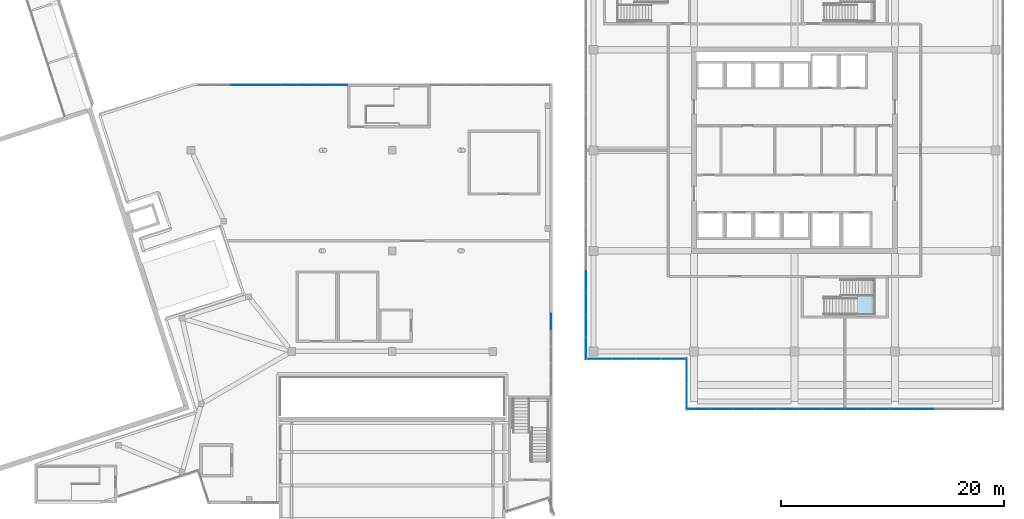
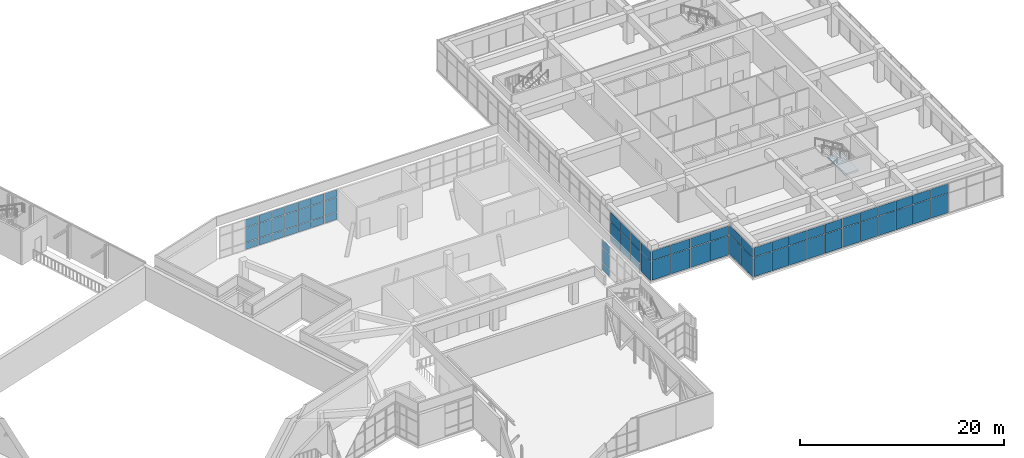
# One storey, part 56 of 72: 66 plates, 1 slab, 7 elements without a shape of their own.
"""IFC4 building model written with IfcOpenShell, lengths in metres."""

import ifcopenshell
import ifcopenshell.guid

model = None  # the IFC model being written
_history = None  # IfcOwnerHistory: only IFC2X3 demands one
_inside = {}  # id of a spatial element -> (the spatial element, [elements in it])
_under = {}  # id of a project, library or spatial element -> (it, [spatial elements below it])
_declared = {}  # id of a project -> (the project, [libraries it declares])
_typed = {}  # id of a type object -> (the type object, [elements of that type])
_made_of = {}  # id of a material, layer set ... -> (it, [elements and type objects made of it])


def new_model(schema):
    """Start an empty IFC model of exactly this schema.

    Asked for "IFC4X3", IfcOpenShell would pick the latest addendum, in which some entities
    have other attributes; the version numbers below select the first issue.
    IFC2X3 requires an IfcOwnerHistory on every rooted entity: one is made here for all.
    """
    global model, _history
    if schema == "IFC4X3":
        model = ifcopenshell.file(schema_version=(4, 3, 0, 0))
    else:
        model = ifcopenshell.file(schema=schema)
    _inside.clear()
    _under.clear()
    _declared.clear()
    _typed.clear()
    _made_of.clear()
    _history = None
    if model.schema == "IFC2X3":
        org = make("IfcOrganization", Name="unknown")
        user = make(
            "IfcPersonAndOrganization",
            ThePerson=make("IfcPerson", FamilyName="unknown"),
            TheOrganization=org,
        )
        app = make(
            "IfcApplication",
            ApplicationDeveloper=org,
            Version="unknown",
            ApplicationFullName="unknown",
            ApplicationIdentifier="unknown",
        )
        _history = make(
            "IfcOwnerHistory",
            OwningUser=user,
            OwningApplication=app,
            ChangeAction="ADDED",
            CreationDate=0,
        )
    return model


def make(cls, **values):
    """One entity of the class cls with the attributes given. An attribute that is None is left unset."""
    return model.create_entity(
        cls, **{name: value for name, value in values.items() if value is not None}
    )


def rooted(cls, **values):
    """An entity with a GlobalId (a new one), such as an element, a storey or a relation."""
    return make(cls, GlobalId=ifcopenshell.guid.new(), OwnerHistory=_history, **values)


def si_unit(unit_type, name, prefix=None):
    """IfcSIUnit, for example si_unit("LENGTHUNIT", "METRE", prefix="MILLI")."""
    return make("IfcSIUnit", UnitType=unit_type, Prefix=prefix, Name=name)


def assignment(units):
    """IfcUnitAssignment: the units of a project."""
    return None if units is None else make("IfcUnitAssignment", Units=units)


def point(xyz):
    """IfcCartesianPoint."""
    return None if xyz is None else make("IfcCartesianPoint", Coordinates=xyz)


def direction(xyz):
    """IfcDirection."""
    return None if xyz is None else make("IfcDirection", DirectionRatios=xyz)


def frame(location, z_axis=None, x_axis=None):
    """IfcAxis2Placement3D, a coordinate frame: its origin and axes. An axis left out is left unset."""
    return make(
        "IfcAxis2Placement3D",
        Location=point(location),
        Axis=direction(z_axis),
        RefDirection=direction(x_axis),
    )


def frame_2d(location, x_axis=None):
    """IfcAxis2Placement2D, a coordinate frame in the plane: its origin and x axis."""
    return make(
        "IfcAxis2Placement2D", Location=point(location), RefDirection=direction(x_axis)
    )


def origin():
    """The frame at (0, 0, 0) with its axes left unset."""
    return frame((0.0, 0.0, 0.0))


def origin_2d():
    """The frame at (0, 0) in the plane with its x axis left unset."""
    return frame_2d((0.0, 0.0))


def place(relative_to, where):
    """IfcLocalPlacement: puts the frame where relative to a parent placement (None: the world)."""
    return make(
        "IfcLocalPlacement", PlacementRelTo=relative_to, RelativePlacement=where
    )


def context(
    kind, dimensions, precision=None, world=None, true_north=None, identifier=None
):
    """IfcGeometricRepresentationContext, for example the 3D "Model" context."""
    return make(
        "IfcGeometricRepresentationContext",
        ContextIdentifier=identifier,
        ContextType=kind,
        CoordinateSpaceDimension=dimensions,
        Precision=precision,
        WorldCoordinateSystem=world,
        TrueNorth=true_north,
    )


def subcontext(parent, identifier, kind, view, scale=None):
    """IfcGeometricRepresentationSubContext, for example "Body" below "Model"."""
    return make(
        "IfcGeometricRepresentationSubContext",
        ContextIdentifier=identifier,
        ContextType=kind,
        ParentContext=parent,
        TargetScale=scale,
        TargetView=view,
    )


def project(units=None, contexts=None):
    """IfcProject with its units and contexts."""
    return rooted(
        "IfcProject",
        Name="project",
        RepresentationContexts=contexts,
        UnitsInContext=assignment(units),
    )


def spatial(cls, under=None, at=None, **own):
    """A site, building, storey or space (cls), placed at a placement, below another one or the project."""
    s = rooted(cls, ObjectPlacement=at, **own)
    if under is not None:
        _under.setdefault(under.id(), (under, []))[1].append(s)
    return s


def polyline(points):
    """IfcPolyline through the points."""
    return make("IfcPolyline", Points=[point(p) for p in points])


def profile(cls, at=None, kind="AREA", **sizes):
    """A parametric profile (cls). Its sizes go by their IFC names, for example OverallWidth=200.0."""
    return make(cls, ProfileType=kind, Position=at, **sizes)


def rectangle(**sizes):
    """IfcRectangleProfileDef."""
    return profile("IfcRectangleProfileDef", **sizes)


def outline(outer, holes=None, kind="AREA"):
    """IfcArbitraryClosedProfileDef: a profile drawn as a closed curve; with holes, ...WithVoids."""
    if holes is None:
        return make("IfcArbitraryClosedProfileDef", ProfileType=kind, OuterCurve=outer)
    return make(
        "IfcArbitraryProfileDefWithVoids",
        ProfileType=kind,
        OuterCurve=outer,
        InnerCurves=holes,
    )


def extrude(swept, where, along, depth):
    """IfcExtrudedAreaSolid: the profile swept, set in the frame where, extruded along a direction by depth."""
    return make(
        "IfcExtrudedAreaSolid",
        SweptArea=swept,
        Position=where,
        ExtrudedDirection=direction(along),
        Depth=depth,
    )


def shape(context_of_items, identifier, shape_type, items):
    """IfcShapeRepresentation: the items that make up one representation, for example the "Body"."""
    return make(
        "IfcShapeRepresentation",
        ContextOfItems=context_of_items,
        RepresentationIdentifier=identifier,
        RepresentationType=shape_type,
        Items=items,
    )


def material(Name=None, Category=None):
    """IfcMaterial."""
    return make("IfcMaterial", Name=Name, Category=Category)


def layer(
    of_material, thickness, ventilated=None, Name=None, Category=None, Priority=None
):
    """IfcMaterialLayer: one layer of a wall or slab, of a material (None: an air gap)."""
    return make(
        "IfcMaterialLayer",
        Material=of_material,
        LayerThickness=thickness,
        IsVentilated=ventilated,
        Name=Name,
        Category=Category,
        Priority=Priority,
    )


def layer_set(layers, Name=None):
    """IfcMaterialLayerSet."""
    return make("IfcMaterialLayerSet", MaterialLayers=layers, LayerSetName=Name)


def made_of(thing, what):
    """Note that an element or type object is made of a material, layer set ...; save() writes the relation."""
    if what is not None:
        _made_of.setdefault(what.id(), (what, []))[1].append(thing)
    return thing


def type_object(cls, material=None, **own):
    """A type object (cls), such as IfcWallType, which elements share."""
    return made_of(rooted(cls, **own), material)


def element(
    cls,
    number,
    at=None,
    inside=None,
    cuts=None,
    type_object=None,
    material=None,
    context=None,
    identifier="Body",
    shape_type=None,
    held_by="IfcProductDefinitionShape",
    body=None,
    shapes=None,
    **own,
):
    """One element of the class cls, such as IfcWall. Its Tag is "e" and its number.

    at: its placement. inside: the storey or other place that contains it. cuts: it is an
    opening in that element (IfcRelVoidsElement). A single representation is given by context,
    identifier, shape_type and body (its items); several are given by shapes. held_by: the class
    of the entity that holds the representations. save() writes the other relations.
    """
    e = rooted(cls, Tag="e%d" % number, ObjectPlacement=at, **own)
    if body is not None:
        shapes = [shape(context, identifier, shape_type, body)]
    if shapes is not None:
        e.Representation = make(held_by, Representations=shapes)
    if inside is not None:
        _inside.setdefault(inside.id(), (inside, []))[1].append(e)
    if cuts is not None:
        rooted(
            "IfcRelVoidsElement", RelatingBuildingElement=cuts, RelatedOpeningElement=e
        )
    if type_object is not None:
        _typed.setdefault(type_object.id(), (type_object, []))[1].append(e)
    return made_of(e, material)


def aggregate(whole, parts):
    """IfcRelAggregates: a whole, such as a stair, and the parts it consists of."""
    return rooted("IfcRelAggregates", RelatingObject=whole, RelatedObjects=parts)


def save(model, path):
    """Write the relations noted so far, then the file.

    IfcRelAggregates (storeys below a building ...), IfcRelContainedInSpatialStructure (elements
    in a storey), IfcRelDefinesByType, IfcRelAssociatesMaterial and IfcRelDeclares: one each for
    every whole, place, type object, material and project.
    """
    for whole, parts in _under.values():
        aggregate(whole, parts)
    for where, things in _inside.values():
        rooted(
            "IfcRelContainedInSpatialStructure",
            RelatedElements=things,
            RelatingStructure=where,
        )
    for kind, things in _typed.values():
        rooted("IfcRelDefinesByType", RelatedObjects=things, RelatingType=kind)
    for what, things in _made_of.values():
        rooted("IfcRelAssociatesMaterial", RelatedObjects=things, RelatingMaterial=what)
    for by, libraries in _declared.values():
        rooted("IfcRelDeclares", RelatingContext=by, RelatedDefinitions=libraries)
    model.write(path)


model = new_model("IFC4")

# Units and contexts
model_context = context("Model", 3, precision=1e-05, world=origin(), true_north=direction((0.0, 1.0)))
body_context = subcontext(model_context, "Body", "Model", "MODEL_VIEW")
ifc_project = project(units=[si_unit("LENGTHUNIT", "METRE"), si_unit("AREAUNIT", "SQUARE_METRE"), si_unit("VOLUMEUNIT", "CUBIC_METRE"), si_unit("PLANEANGLEUNIT", "RADIAN"), si_unit("MASSUNIT", "GRAM", prefix="KILO")], contexts=[model_context])

# Site, building, storey
site_placement = place(None, origin())
site = spatial("IfcSite", under=ifc_project, at=site_placement, CompositionType="ELEMENT")
building_placement = place(site_placement, origin())
building = spatial("IfcBuilding", under=site, at=building_placement, Name="Tuart Plaza Theatre", CompositionType="ELEMENT")
storey_placement = place(building_placement, frame((0.0, 0.0, 13.5)))
storey = spatial("IfcBuildingStorey", under=building, at=storey_placement, Name="L03", CompositionType="ELEMENT", Elevation=13.5)

# Curtain wall, plates
ifc_material_1 = material(Name="Aluminium and glass", Category="aluminium")
ifc_layer_1 = layer(ifc_material_1, 0.10009765625)
ifc_layer_set_1 = layer_set([ifc_layer_1], Name="CURTAIN WALL 1500 module")
curtain_wall_type_1 = type_object("IfcCurtainWallType", Name="CURTAIN WALL 1500 module", PredefinedType="NOTDEFINED", material=ifc_layer_set_1)
curtain_wall_1_placement = place(storey_placement, origin())
curtain_wall_1 = element("IfcCurtainWall", 1, at=curtain_wall_1_placement, inside=storey, type_object=curtain_wall_type_1, Name="CW43", PredefinedType="NOTDEFINED")
ifc_material_2 = material(Name="Glass", Category="glass")
ifc_layer_2 = layer(ifc_material_2, 0.028076171875)
ifc_layer_set_2 = layer_set([ifc_layer_2], Name="CURTAIN PANEL double glazed 28")
plate_type_1 = type_object("IfcPlateType", Name="CURTAIN PANEL double glazed 28", PredefinedType="CURTAIN_PANEL", material=ifc_layer_set_2)
plate_1_placement = place(storey_placement, frame((110.212890625, 58.6474609375, 0.0498046875), z_axis=(0.0, 0.0, 1.0), x_axis=(0.0, 1.0, 0.0)))
plate_1 = element("IfcPlate", 2, at=plate_1_placement, type_object=plate_type_1, Name="CW43 panel 5.1", PredefinedType="CURTAIN_PANEL", context=body_context, shape_type="SweptSolid", body=[
    extrude(rectangle(XDim=1.405029296875, YDim=0.028076171875, at=origin_2d()), origin(), (0.0, 0.0, 1.0), 0.824951171875),
])
plate_2_placement = place(storey_placement, frame((110.212890625, 58.6474609375, 0.925048828125), z_axis=(0.0, 0.0, 1.0), x_axis=(0.0, 1.0, 0.0)))
plate_2 = element("IfcPlate", 3, at=plate_2_placement, type_object=plate_type_1, Name="CW43 panel 5.2", PredefinedType="CURTAIN_PANEL", context=body_context, shape_type="SweptSolid", body=[
    extrude(rectangle(XDim=1.405029296875, YDim=0.028076171875, at=origin_2d()), origin(), (0.0, 0.0, 1.0), 1.75),
])
plate_3_placement = place(storey_placement, frame((110.212890625, 58.6474609375, 2.72509765625), z_axis=(0.0, 0.0, 1.0), x_axis=(0.0, 1.0, 0.0)))
plate_3 = element("IfcPlate", 4, at=plate_3_placement, type_object=plate_type_1, Name="CW43 panel 5.3", PredefinedType="CURTAIN_PANEL", context=body_context, shape_type="SweptSolid", body=[
    extrude(rectangle(XDim=1.405029296875, YDim=0.028076171875, at=origin_2d()), origin(), (0.0, 0.0, 1.0), 0.925048828125),
])
aggregate(curtain_wall_1, [plate_1, plate_2, plate_3])

curtain_wall_2_placement = place(storey_placement, origin())
curtain_wall_2 = element("IfcCurtainWall", 5, at=curtain_wall_2_placement, inside=storey, type_object=curtain_wall_type_1, Name="CW44", PredefinedType="NOTDEFINED")
plate_4_placement = place(storey_placement, frame((82.31787109375, 79.8369140625, 0.0498046875), z_axis=(0.0, 0.0, 1.0), x_axis=(1.0, 0.0, 0.0)))
plate_4 = element("IfcPlate", 6, at=plate_4_placement, type_object=plate_type_1, Name="CW44 panel 3.1", PredefinedType="CURTAIN_PANEL", context=body_context, shape_type="SweptSolid", body=[
    extrude(rectangle(XDim=1.439453125, YDim=0.028076171875, at=origin_2d()), origin(), (0.0, 0.0, 1.0), 0.824951171875),
])
plate_5_placement = place(storey_placement, frame((82.31787109375, 79.8369140625, 0.925048828125), z_axis=(0.0, 0.0, 1.0), x_axis=(1.0, 0.0, 0.0)))
plate_5 = element("IfcPlate", 7, at=plate_5_placement, type_object=plate_type_1, Name="CW44 panel 3.2", PredefinedType="CURTAIN_PANEL", context=body_context, shape_type="SweptSolid", body=[
    extrude(rectangle(XDim=1.439453125, YDim=0.028076171875, at=origin_2d()), origin(), (0.0, 0.0, 1.0), 1.75),
])
plate_6_placement = place(storey_placement, frame((82.31787109375, 79.8369140625, 2.72509765625), z_axis=(0.0, 0.0, 1.0), x_axis=(1.0, 0.0, 0.0)))
plate_6 = element("IfcPlate", 8, at=plate_6_placement, type_object=plate_type_1, Name="CW44 panel 3.3", PredefinedType="CURTAIN_PANEL", context=body_context, shape_type="SweptSolid", body=[
    extrude(rectangle(XDim=1.439453125, YDim=0.028076171875, at=origin_2d()), origin(), (0.0, 0.0, 1.0), 0.925048828125),
])
plate_7_placement = place(storey_placement, frame((83.807373046875, 79.8369140625, 0.0498046875), z_axis=(0.0, 0.0, 1.0), x_axis=(1.0, 0.0, 0.0)))
plate_7 = element("IfcPlate", 9, at=plate_7_placement, type_object=plate_type_1, Name="CW44 panel 4.1", PredefinedType="CURTAIN_PANEL", context=body_context, shape_type="SweptSolid", body=[
    extrude(rectangle(XDim=1.439453125, YDim=0.028076171875, at=origin_2d()), origin(), (0.0, 0.0, 1.0), 0.824951171875),
])
plate_8_placement = place(storey_placement, frame((83.807373046875, 79.8369140625, 0.925048828125), z_axis=(0.0, 0.0, 1.0), x_axis=(1.0, 0.0, 0.0)))
plate_8 = element("IfcPlate", 10, at=plate_8_placement, type_object=plate_type_1, Name="CW44 panel 4.2", PredefinedType="CURTAIN_PANEL", context=body_context, shape_type="SweptSolid", body=[
    extrude(rectangle(XDim=1.439453125, YDim=0.028076171875, at=origin_2d()), origin(), (0.0, 0.0, 1.0), 1.75),
])
plate_9_placement = place(storey_placement, frame((83.807373046875, 79.8369140625, 2.72509765625), z_axis=(0.0, 0.0, 1.0), x_axis=(1.0, 0.0, 0.0)))
plate_9 = element("IfcPlate", 11, at=plate_9_placement, type_object=plate_type_1, Name="CW44 panel 4.3", PredefinedType="CURTAIN_PANEL", context=body_context, shape_type="SweptSolid", body=[
    extrude(rectangle(XDim=1.439453125, YDim=0.028076171875, at=origin_2d()), origin(), (0.0, 0.0, 1.0), 0.925048828125),
])
plate_10_placement = place(storey_placement, frame((85.297119140625, 79.8369140625, 0.0498046875), z_axis=(0.0, 0.0, 1.0), x_axis=(1.0, 0.0, 0.0)))
plate_10 = element("IfcPlate", 12, at=plate_10_placement, type_object=plate_type_1, Name="CW44 panel 5.1", PredefinedType="CURTAIN_PANEL", context=body_context, shape_type="SweptSolid", body=[
    extrude(rectangle(XDim=1.439453125, YDim=0.028076171875, at=origin_2d()), origin(), (0.0, 0.0, 1.0), 0.824951171875),
])
plate_11_placement = place(storey_placement, frame((85.297119140625, 79.8369140625, 0.925048828125), z_axis=(0.0, 0.0, 1.0), x_axis=(1.0, 0.0, 0.0)))
plate_11 = element("IfcPlate", 13, at=plate_11_placement, type_object=plate_type_1, Name="CW44 panel 5.2", PredefinedType="CURTAIN_PANEL", context=body_context, shape_type="SweptSolid", body=[
    extrude(rectangle(XDim=1.439453125, YDim=0.028076171875, at=origin_2d()), origin(), (0.0, 0.0, 1.0), 1.75),
])
plate_12_placement = place(storey_placement, frame((85.297119140625, 79.8369140625, 2.72509765625), z_axis=(0.0, 0.0, 1.0), x_axis=(1.0, 0.0, 0.0)))
plate_12 = element("IfcPlate", 14, at=plate_12_placement, type_object=plate_type_1, Name="CW44 panel 5.3", PredefinedType="CURTAIN_PANEL", context=body_context, shape_type="SweptSolid", body=[
    extrude(rectangle(XDim=1.439453125, YDim=0.028076171875, at=origin_2d()), origin(), (0.0, 0.0, 1.0), 0.925048828125),
])
plate_13_placement = place(storey_placement, frame((86.78662109375, 79.8369140625, 0.0498046875), z_axis=(0.0, 0.0, 1.0), x_axis=(1.0, 0.0, 0.0)))
plate_13 = element("IfcPlate", 15, at=plate_13_placement, type_object=plate_type_1, Name="CW44 panel 6.1", PredefinedType="CURTAIN_PANEL", context=body_context, shape_type="SweptSolid", body=[
    extrude(rectangle(XDim=1.439453125, YDim=0.028076171875, at=origin_2d()), origin(), (0.0, 0.0, 1.0), 0.824951171875),
])
plate_14_placement = place(storey_placement, frame((86.78662109375, 79.8369140625, 0.925048828125), z_axis=(0.0, 0.0, 1.0), x_axis=(1.0, 0.0, 0.0)))
plate_14 = element("IfcPlate", 16, at=plate_14_placement, type_object=plate_type_1, Name="CW44 panel 6.2", PredefinedType="CURTAIN_PANEL", context=body_context, shape_type="SweptSolid", body=[
    extrude(rectangle(XDim=1.439453125, YDim=0.028076171875, at=origin_2d()), origin(), (0.0, 0.0, 1.0), 1.75),
])
plate_15_placement = place(storey_placement, frame((86.78662109375, 79.8369140625, 2.72509765625), z_axis=(0.0, 0.0, 1.0), x_axis=(1.0, 0.0, 0.0)))
plate_15 = element("IfcPlate", 17, at=plate_15_placement, type_object=plate_type_1, Name="CW44 panel 6.3", PredefinedType="CURTAIN_PANEL", context=body_context, shape_type="SweptSolid", body=[
    extrude(rectangle(XDim=1.439453125, YDim=0.028076171875, at=origin_2d()), origin(), (0.0, 0.0, 1.0), 0.925048828125),
])
plate_16_placement = place(storey_placement, frame((88.276123046875, 79.8369140625, 0.0498046875), z_axis=(0.0, 0.0, 1.0), x_axis=(1.0, 0.0, 0.0)))
plate_16 = element("IfcPlate", 18, at=plate_16_placement, type_object=plate_type_1, Name="CW44 panel 7.1", PredefinedType="CURTAIN_PANEL", context=body_context, shape_type="SweptSolid", body=[
    extrude(rectangle(XDim=1.439453125, YDim=0.028076171875, at=origin_2d()), origin(), (0.0, 0.0, 1.0), 0.824951171875),
])
plate_17_placement = place(storey_placement, frame((88.276123046875, 79.8369140625, 0.925048828125), z_axis=(0.0, 0.0, 1.0), x_axis=(1.0, 0.0, 0.0)))
plate_17 = element("IfcPlate", 19, at=plate_17_placement, type_object=plate_type_1, Name="CW44 panel 7.2", PredefinedType="CURTAIN_PANEL", context=body_context, shape_type="SweptSolid", body=[
    extrude(rectangle(XDim=1.439453125, YDim=0.028076171875, at=origin_2d()), origin(), (0.0, 0.0, 1.0), 1.75),
])
plate_18_placement = place(storey_placement, frame((88.276123046875, 79.8369140625, 2.72509765625), z_axis=(0.0, 0.0, 1.0), x_axis=(1.0, 0.0, 0.0)))
plate_18 = element("IfcPlate", 20, at=plate_18_placement, type_object=plate_type_1, Name="CW44 panel 7.3", PredefinedType="CURTAIN_PANEL", context=body_context, shape_type="SweptSolid", body=[
    extrude(rectangle(XDim=1.439453125, YDim=0.028076171875, at=origin_2d()), origin(), (0.0, 0.0, 1.0), 0.925048828125),
])
plate_19_placement = place(storey_placement, frame((89.765625, 79.8369140625, 0.0498046875), z_axis=(0.0, 0.0, 1.0), x_axis=(1.0, 0.0, 0.0)))
plate_19 = element("IfcPlate", 21, at=plate_19_placement, type_object=plate_type_1, Name="CW44 panel 8.1", PredefinedType="CURTAIN_PANEL", context=body_context, shape_type="SweptSolid", body=[
    extrude(rectangle(XDim=1.439453125, YDim=0.028076171875, at=origin_2d()), origin(), (0.0, 0.0, 1.0), 0.824951171875),
])
plate_20_placement = place(storey_placement, frame((89.765625, 79.8369140625, 0.925048828125), z_axis=(0.0, 0.0, 1.0), x_axis=(1.0, 0.0, 0.0)))
plate_20 = element("IfcPlate", 22, at=plate_20_placement, type_object=plate_type_1, Name="CW44 panel 8.2", PredefinedType="CURTAIN_PANEL", context=body_context, shape_type="SweptSolid", body=[
    extrude(rectangle(XDim=1.439453125, YDim=0.028076171875, at=origin_2d()), origin(), (0.0, 0.0, 1.0), 1.75),
])
plate_21_placement = place(storey_placement, frame((89.765625, 79.8369140625, 2.72509765625), z_axis=(0.0, 0.0, 1.0), x_axis=(1.0, 0.0, 0.0)))
plate_21 = element("IfcPlate", 23, at=plate_21_placement, type_object=plate_type_1, Name="CW44 panel 8.3", PredefinedType="CURTAIN_PANEL", context=body_context, shape_type="SweptSolid", body=[
    extrude(rectangle(XDim=1.439453125, YDim=0.028076171875, at=origin_2d()), origin(), (0.0, 0.0, 1.0), 0.925048828125),
])
plate_22_placement = place(storey_placement, frame((91.24267578125, 79.8369140625, 0.0498046875), z_axis=(0.0, 0.0, 1.0), x_axis=(1.0, 0.0, 0.0)))
plate_22 = element("IfcPlate", 24, at=plate_22_placement, type_object=plate_type_1, Name="CW44 panel 9.1", PredefinedType="CURTAIN_PANEL", context=body_context, shape_type="SweptSolid", body=[
    extrude(rectangle(XDim=1.41455078125, YDim=0.028076171875, at=origin_2d()), origin(), (0.0, 0.0, 1.0), 0.824951171875),
])
plate_23_placement = place(storey_placement, frame((91.24267578125, 79.8369140625, 0.925048828125), z_axis=(0.0, 0.0, 1.0), x_axis=(1.0, 0.0, 0.0)))
plate_23 = element("IfcPlate", 25, at=plate_23_placement, type_object=plate_type_1, Name="CW44 panel 9.2", PredefinedType="CURTAIN_PANEL", context=body_context, shape_type="SweptSolid", body=[
    extrude(rectangle(XDim=1.41455078125, YDim=0.028076171875, at=origin_2d()), origin(), (0.0, 0.0, 1.0), 1.75),
])
plate_24_placement = place(storey_placement, frame((91.24267578125, 79.8369140625, 2.72509765625), z_axis=(0.0, 0.0, 1.0), x_axis=(1.0, 0.0, 0.0)))
plate_24 = element("IfcPlate", 26, at=plate_24_placement, type_object=plate_type_1, Name="CW44 panel 9.3", PredefinedType="CURTAIN_PANEL", context=body_context, shape_type="SweptSolid", body=[
    extrude(rectangle(XDim=1.41455078125, YDim=0.028076171875, at=origin_2d()), origin(), (0.0, 0.0, 1.0), 0.925048828125),
])
aggregate(curtain_wall_2, [plate_4, plate_5, plate_6, plate_7, plate_8, plate_9, plate_10, plate_11, plate_12, plate_13, plate_14, plate_15, plate_16, plate_17, plate_18, plate_19, plate_20, plate_21, plate_22, plate_23, plate_24])

ifc_material_3 = material(Name="Aluminium and glass", Category="aluminium")
ifc_layer_3 = layer(ifc_material_3, 0.10009765625)
ifc_layer_set_3 = layer_set([ifc_layer_3], Name="CURTAIN WALL 2000 module")
curtain_wall_type_2 = type_object("IfcCurtainWallType", Name="CURTAIN WALL 2000 module", PredefinedType="NOTDEFINED", material=ifc_layer_set_3)
curtain_wall_3_placement = place(storey_placement, origin())
curtain_wall_3 = element("IfcCurtainWall", 27, at=curtain_wall_3_placement, inside=storey, type_object=curtain_wall_type_2, Name="CW67", PredefinedType="NOTDEFINED")
plate_25_placement = place(storey_placement, frame((122.35009765625, 54.262451171875, 0.0498046875), z_axis=(0.0, 0.0, 1.0), x_axis=(0.0, -1.0, 0.0)))
plate_25 = element("IfcPlate", 28, at=plate_25_placement, type_object=plate_type_1, Name="CW67 panel 1.1", PredefinedType="CURTAIN_PANEL", context=body_context, shape_type="SweptSolid", body=[
    extrude(rectangle(XDim=2.27490234375, YDim=0.028076171875, at=origin_2d()), origin(), (0.0, 0.0, 1.0), 2.324951171875),
])
plate_26_placement = place(storey_placement, frame((122.35009765625, 54.262451171875, 2.425048828125), z_axis=(0.0, 0.0, 1.0), x_axis=(0.0, -1.0, 0.0)))
plate_26 = element("IfcPlate", 29, at=plate_26_placement, type_object=plate_type_1, Name="CW67 panel 1.2", PredefinedType="CURTAIN_PANEL", context=body_context, shape_type="SweptSolid", body=[
    extrude(rectangle(XDim=2.27490234375, YDim=0.028076171875, at=origin_2d()), origin(), (0.0, 0.0, 1.0), 1.10498046875),
])
plate_27_placement = place(storey_placement, frame((122.35009765625, 51.9375, 0.0498046875), z_axis=(0.0, 0.0, 1.0), x_axis=(0.0, -1.0, 0.0)))
plate_27 = element("IfcPlate", 30, at=plate_27_placement, type_object=plate_type_1, Name="CW67 panel 2.1", PredefinedType="CURTAIN_PANEL", context=body_context, shape_type="SweptSolid", body=[
    extrude(rectangle(XDim=2.27490234375, YDim=0.028076171875, at=origin_2d()), origin(), (0.0, 0.0, 1.0), 2.324951171875),
])
plate_28_placement = place(storey_placement, frame((122.35009765625, 51.9375, 2.425048828125), z_axis=(0.0, 0.0, 1.0), x_axis=(0.0, -1.0, 0.0)))
plate_28 = element("IfcPlate", 31, at=plate_28_placement, type_object=plate_type_1, Name="CW67 panel 2.2", PredefinedType="CURTAIN_PANEL", context=body_context, shape_type="SweptSolid", body=[
    extrude(rectangle(XDim=2.27490234375, YDim=0.028076171875, at=origin_2d()), origin(), (0.0, 0.0, 1.0), 1.10498046875),
])
aggregate(curtain_wall_3, [plate_25, plate_26, plate_27, plate_28])

curtain_wall_4_placement = place(storey_placement, origin())
curtain_wall_4 = element("IfcCurtainWall", 32, at=curtain_wall_4_placement, inside=storey, type_object=curtain_wall_type_2, Name="CW68", PredefinedType="NOTDEFINED")
plate_29_placement = place(storey_placement, frame((123.466064453125, 50.85009765625, 0.0498046875), z_axis=(0.0, 0.0, 1.0), x_axis=(1.0, 0.0, 0.0)))
plate_29 = element("IfcPlate", 33, at=plate_29_placement, type_object=plate_type_1, Name="CW68 panel 1.1", PredefinedType="CURTAIN_PANEL", context=body_context, shape_type="SweptSolid", body=[
    extrude(rectangle(XDim=1.93212890625, YDim=0.028076171875, at=origin_2d()), origin(), (0.0, 0.0, 1.0), 2.324951171875),
])
plate_30_placement = place(storey_placement, frame((123.466064453125, 50.85009765625, 2.425048828125), z_axis=(0.0, 0.0, 1.0), x_axis=(1.0, 0.0, 0.0)))
plate_30 = element("IfcPlate", 34, at=plate_30_placement, type_object=plate_type_1, Name="CW68 panel 1.2", PredefinedType="CURTAIN_PANEL", context=body_context, shape_type="SweptSolid", body=[
    extrude(rectangle(XDim=1.93212890625, YDim=0.028076171875, at=origin_2d()), origin(), (0.0, 0.0, 1.0), 1.10498046875),
])
plate_31_placement = place(storey_placement, frame((125.460693359375, 50.85009765625, 0.0498046875), z_axis=(0.0, 0.0, 1.0), x_axis=(1.0, 0.0, 0.0)))
plate_31 = element("IfcPlate", 35, at=plate_31_placement, type_object=plate_type_1, Name="CW68 panel 2.1", PredefinedType="CURTAIN_PANEL", context=body_context, shape_type="SweptSolid", body=[
    extrude(rectangle(XDim=1.95703125, YDim=0.028076171875, at=origin_2d()), origin(), (0.0, 0.0, 1.0), 2.324951171875),
])
plate_32_placement = place(storey_placement, frame((125.460693359375, 50.85009765625, 2.425048828125), z_axis=(0.0, 0.0, 1.0), x_axis=(1.0, 0.0, 0.0)))
plate_32 = element("IfcPlate", 36, at=plate_32_placement, type_object=plate_type_1, Name="CW68 panel 2.2", PredefinedType="CURTAIN_PANEL", context=body_context, shape_type="SweptSolid", body=[
    extrude(rectangle(XDim=1.95703125, YDim=0.028076171875, at=origin_2d()), origin(), (0.0, 0.0, 1.0), 1.10498046875),
])
plate_33_placement = place(storey_placement, frame((127.4677734375, 50.85009765625, 0.0498046875), z_axis=(0.0, 0.0, 1.0), x_axis=(1.0, 0.0, 0.0)))
plate_33 = element("IfcPlate", 37, at=plate_33_placement, type_object=plate_type_1, Name="CW68 panel 3.1", PredefinedType="CURTAIN_PANEL", context=body_context, shape_type="SweptSolid", body=[
    extrude(rectangle(XDim=1.95703125, YDim=0.028076171875, at=origin_2d()), origin(), (0.0, 0.0, 1.0), 2.324951171875),
])
plate_34_placement = place(storey_placement, frame((127.4677734375, 50.85009765625, 2.425048828125), z_axis=(0.0, 0.0, 1.0), x_axis=(1.0, 0.0, 0.0)))
plate_34 = element("IfcPlate", 38, at=plate_34_placement, type_object=plate_type_1, Name="CW68 panel 3.2", PredefinedType="CURTAIN_PANEL", context=body_context, shape_type="SweptSolid", body=[
    extrude(rectangle(XDim=1.95703125, YDim=0.028076171875, at=origin_2d()), origin(), (0.0, 0.0, 1.0), 1.10498046875),
])
plate_35_placement = place(storey_placement, frame((131.482177734375, 50.85009765625, 0.0498046875), z_axis=(0.0, 0.0, 1.0), x_axis=(1.0, 0.0, 0.0)))
plate_35 = element("IfcPlate", 39, at=plate_35_placement, type_object=plate_type_1, Name="CW68 panel 5.1", PredefinedType="CURTAIN_PANEL", context=body_context, shape_type="SweptSolid", body=[
    extrude(rectangle(XDim=1.95703125, YDim=0.028076171875, at=origin_2d()), origin(), (0.0, 0.0, 1.0), 2.324951171875),
])
plate_36_placement = place(storey_placement, frame((131.482177734375, 50.85009765625, 2.425048828125), z_axis=(0.0, 0.0, 1.0), x_axis=(1.0, 0.0, 0.0)))
plate_36 = element("IfcPlate", 40, at=plate_36_placement, type_object=plate_type_1, Name="CW68 panel 5.2", PredefinedType="CURTAIN_PANEL", context=body_context, shape_type="SweptSolid", body=[
    extrude(rectangle(XDim=1.95703125, YDim=0.028076171875, at=origin_2d()), origin(), (0.0, 0.0, 1.0), 1.10498046875),
])
plate_37_placement = place(storey_placement, frame((133.4892578125, 50.85009765625, 0.0498046875), z_axis=(0.0, 0.0, 1.0), x_axis=(1.0, 0.0, 0.0)))
plate_37 = element("IfcPlate", 41, at=plate_37_placement, type_object=plate_type_1, Name="CW68 panel 6.1", PredefinedType="CURTAIN_PANEL", context=body_context, shape_type="SweptSolid", body=[
    extrude(rectangle(XDim=1.95703125, YDim=0.028076171875, at=origin_2d()), origin(), (0.0, 0.0, 1.0), 2.324951171875),
])
plate_38_placement = place(storey_placement, frame((133.4892578125, 50.85009765625, 2.425048828125), z_axis=(0.0, 0.0, 1.0), x_axis=(1.0, 0.0, 0.0)))
plate_38 = element("IfcPlate", 42, at=plate_38_placement, type_object=plate_type_1, Name="CW68 panel 6.2", PredefinedType="CURTAIN_PANEL", context=body_context, shape_type="SweptSolid", body=[
    extrude(rectangle(XDim=1.95703125, YDim=0.028076171875, at=origin_2d()), origin(), (0.0, 0.0, 1.0), 1.10498046875),
])
plate_39_placement = place(storey_placement, frame((135.496337890625, 50.85009765625, 0.0498046875), z_axis=(0.0, 0.0, 1.0), x_axis=(1.0, 0.0, 0.0)))
plate_39 = element("IfcPlate", 43, at=plate_39_placement, type_object=plate_type_1, Name="CW68 panel 7.1", PredefinedType="CURTAIN_PANEL", context=body_context, shape_type="SweptSolid", body=[
    extrude(rectangle(XDim=1.95703125, YDim=0.028076171875, at=origin_2d()), origin(), (0.0, 0.0, 1.0), 2.324951171875),
])
plate_40_placement = place(storey_placement, frame((135.496337890625, 50.85009765625, 2.425048828125), z_axis=(0.0, 0.0, 1.0), x_axis=(1.0, 0.0, 0.0)))
plate_40 = element("IfcPlate", 44, at=plate_40_placement, type_object=plate_type_1, Name="CW68 panel 7.2", PredefinedType="CURTAIN_PANEL", context=body_context, shape_type="SweptSolid", body=[
    extrude(rectangle(XDim=1.95703125, YDim=0.028076171875, at=origin_2d()), origin(), (0.0, 0.0, 1.0), 1.10498046875),
])
plate_41_placement = place(storey_placement, frame((137.503662109375, 50.85009765625, 0.0498046875), z_axis=(0.0, 0.0, 1.0), x_axis=(1.0, 0.0, 0.0)))
plate_41 = element("IfcPlate", 45, at=plate_41_placement, type_object=plate_type_1, Name="CW68 panel 8.1", PredefinedType="CURTAIN_PANEL", context=body_context, shape_type="SweptSolid", body=[
    extrude(rectangle(XDim=1.95703125, YDim=0.028076171875, at=origin_2d()), origin(), (0.0, 0.0, 1.0), 2.324951171875),
])
plate_42_placement = place(storey_placement, frame((137.503662109375, 50.85009765625, 2.425048828125), z_axis=(0.0, 0.0, 1.0), x_axis=(1.0, 0.0, 0.0)))
plate_42 = element("IfcPlate", 46, at=plate_42_placement, type_object=plate_type_1, Name="CW68 panel 8.2", PredefinedType="CURTAIN_PANEL", context=body_context, shape_type="SweptSolid", body=[
    extrude(rectangle(XDim=1.95703125, YDim=0.028076171875, at=origin_2d()), origin(), (0.0, 0.0, 1.0), 1.10498046875),
])
plate_43_placement = place(storey_placement, frame((139.5107421875, 50.85009765625, 0.0498046875), z_axis=(0.0, 0.0, 1.0), x_axis=(1.0, 0.0, 0.0)))
plate_43 = element("IfcPlate", 47, at=plate_43_placement, type_object=plate_type_1, Name="CW68 panel 9.1", PredefinedType="CURTAIN_PANEL", context=body_context, shape_type="SweptSolid", body=[
    extrude(rectangle(XDim=1.95703125, YDim=0.028076171875, at=origin_2d()), origin(), (0.0, 0.0, 1.0), 2.324951171875),
])
plate_44_placement = place(storey_placement, frame((139.5107421875, 50.85009765625, 2.425048828125), z_axis=(0.0, 0.0, 1.0), x_axis=(1.0, 0.0, 0.0)))
plate_44 = element("IfcPlate", 48, at=plate_44_placement, type_object=plate_type_1, Name="CW68 panel 9.2", PredefinedType="CURTAIN_PANEL", context=body_context, shape_type="SweptSolid", body=[
    extrude(rectangle(XDim=1.95703125, YDim=0.028076171875, at=origin_2d()), origin(), (0.0, 0.0, 1.0), 1.10498046875),
])
plate_45_placement = place(storey_placement, frame((141.517822265625, 50.85009765625, 0.0498046875), z_axis=(0.0, 0.0, 1.0), x_axis=(1.0, 0.0, 0.0)))
plate_45 = element("IfcPlate", 49, at=plate_45_placement, type_object=plate_type_1, Name="CW68 panel 10.1", PredefinedType="CURTAIN_PANEL", context=body_context, shape_type="SweptSolid", body=[
    extrude(rectangle(XDim=1.95703125, YDim=0.028076171875, at=origin_2d()), origin(), (0.0, 0.0, 1.0), 2.324951171875),
])
plate_46_placement = place(storey_placement, frame((141.517822265625, 50.85009765625, 2.425048828125), z_axis=(0.0, 0.0, 1.0), x_axis=(1.0, 0.0, 0.0)))
plate_46 = element("IfcPlate", 50, at=plate_46_placement, type_object=plate_type_1, Name="CW68 panel 10.2", PredefinedType="CURTAIN_PANEL", context=body_context, shape_type="SweptSolid", body=[
    extrude(rectangle(XDim=1.95703125, YDim=0.028076171875, at=origin_2d()), origin(), (0.0, 0.0, 1.0), 1.10498046875),
])
plate_47_placement = place(storey_placement, frame((143.52490234375, 50.85009765625, 0.0498046875), z_axis=(0.0, 0.0, 1.0), x_axis=(1.0, 0.0, 0.0)))
plate_47 = element("IfcPlate", 51, at=plate_47_placement, type_object=plate_type_1, Name="CW68 panel 11.1", PredefinedType="CURTAIN_PANEL", context=body_context, shape_type="SweptSolid", body=[
    extrude(rectangle(XDim=1.95703125, YDim=0.028076171875, at=origin_2d()), origin(), (0.0, 0.0, 1.0), 2.324951171875),
])
plate_48_placement = place(storey_placement, frame((143.52490234375, 50.85009765625, 2.425048828125), z_axis=(0.0, 0.0, 1.0), x_axis=(1.0, 0.0, 0.0)))
plate_48 = element("IfcPlate", 52, at=plate_48_placement, type_object=plate_type_1, Name="CW68 panel 11.2", PredefinedType="CURTAIN_PANEL", context=body_context, shape_type="SweptSolid", body=[
    extrude(rectangle(XDim=1.95703125, YDim=0.028076171875, at=origin_2d()), origin(), (0.0, 0.0, 1.0), 1.10498046875),
])

curtain_wall_5_placement = place(storey_placement, origin())
curtain_wall_5 = element("IfcCurtainWall", 53, at=curtain_wall_5_placement, inside=storey, type_object=curtain_wall_type_2, Name="CW73", PredefinedType="NOTDEFINED")
plate_49_placement = place(storey_placement, frame((113.35009765625, 62.25, 0.0498046875), z_axis=(0.0, 0.0, 1.0), x_axis=(0.0, -1.0, 0.0)))
plate_49 = element("IfcPlate", 54, at=plate_49_placement, type_object=plate_type_1, Name="CW73 panel 18.1", PredefinedType="CURTAIN_PANEL", context=body_context, shape_type="SweptSolid", body=[
    extrude(rectangle(XDim=1.949951171875, YDim=0.028076171875, at=origin_2d()), origin(), (0.0, 0.0, 1.0), 2.324951171875),
])
plate_50_placement = place(storey_placement, frame((113.35009765625, 62.25, 2.425048828125), z_axis=(0.0, 0.0, 1.0), x_axis=(0.0, -1.0, 0.0)))
plate_50 = element("IfcPlate", 55, at=plate_50_placement, type_object=plate_type_1, Name="CW73 panel 18.2", PredefinedType="CURTAIN_PANEL", context=body_context, shape_type="SweptSolid", body=[
    extrude(rectangle(XDim=1.949951171875, YDim=0.028076171875, at=origin_2d()), origin(), (0.0, 0.0, 1.0), 1.10498046875),
])
plate_51_placement = place(storey_placement, frame((113.35009765625, 60.25, 0.0498046875), z_axis=(0.0, 0.0, 1.0), x_axis=(0.0, -1.0, 0.0)))
plate_51 = element("IfcPlate", 56, at=plate_51_placement, type_object=plate_type_1, Name="CW73 panel 19.1", PredefinedType="CURTAIN_PANEL", context=body_context, shape_type="SweptSolid", body=[
    extrude(rectangle(XDim=1.949951171875, YDim=0.028076171875, at=origin_2d()), origin(), (0.0, 0.0, 1.0), 2.324951171875),
])
plate_52_placement = place(storey_placement, frame((113.35009765625, 60.25, 2.425048828125), z_axis=(0.0, 0.0, 1.0), x_axis=(0.0, -1.0, 0.0)))
plate_52 = element("IfcPlate", 57, at=plate_52_placement, type_object=plate_type_1, Name="CW73 panel 19.2", PredefinedType="CURTAIN_PANEL", context=body_context, shape_type="SweptSolid", body=[
    extrude(rectangle(XDim=1.949951171875, YDim=0.028076171875, at=origin_2d()), origin(), (0.0, 0.0, 1.0), 1.10498046875),
])
plate_53_placement = place(storey_placement, frame((113.35009765625, 58.25, 0.0498046875), z_axis=(0.0, 0.0, 1.0), x_axis=(0.0, -1.0, 0.0)))
plate_53 = element("IfcPlate", 58, at=plate_53_placement, type_object=plate_type_1, Name="CW73 panel 20.1", PredefinedType="CURTAIN_PANEL", context=body_context, shape_type="SweptSolid", body=[
    extrude(rectangle(XDim=1.949951171875, YDim=0.028076171875, at=origin_2d()), origin(), (0.0, 0.0, 1.0), 2.324951171875),
])
plate_54_placement = place(storey_placement, frame((113.35009765625, 58.25, 2.425048828125), z_axis=(0.0, 0.0, 1.0), x_axis=(0.0, -1.0, 0.0)))
plate_54 = element("IfcPlate", 59, at=plate_54_placement, type_object=plate_type_1, Name="CW73 panel 20.2", PredefinedType="CURTAIN_PANEL", context=body_context, shape_type="SweptSolid", body=[
    extrude(rectangle(XDim=1.949951171875, YDim=0.028076171875, at=origin_2d()), origin(), (0.0, 0.0, 1.0), 1.10498046875),
])
plate_55_placement = place(storey_placement, frame((113.35009765625, 56.262451171875, 0.0498046875), z_axis=(0.0, 0.0, 1.0), x_axis=(0.0, -1.0, 0.0)))
plate_55 = element("IfcPlate", 60, at=plate_55_placement, type_object=plate_type_1, Name="CW73 panel 21.1", PredefinedType="CURTAIN_PANEL", context=body_context, shape_type="SweptSolid", body=[
    extrude(rectangle(XDim=1.925048828125, YDim=0.028076171875, at=origin_2d()), origin(), (0.0, 0.0, 1.0), 2.324951171875),
])
plate_56_placement = place(storey_placement, frame((113.35009765625, 56.262451171875, 2.425048828125), z_axis=(0.0, 0.0, 1.0), x_axis=(0.0, -1.0, 0.0)))
plate_56 = element("IfcPlate", 61, at=plate_56_placement, type_object=plate_type_1, Name="CW73 panel 21.2", PredefinedType="CURTAIN_PANEL", context=body_context, shape_type="SweptSolid", body=[
    extrude(rectangle(XDim=1.925048828125, YDim=0.028076171875, at=origin_2d()), origin(), (0.0, 0.0, 1.0), 1.10498046875),
])
aggregate(curtain_wall_5, [plate_49, plate_50, plate_51, plate_52, plate_53, plate_54, plate_55, plate_56])

curtain_wall_6_placement = place(storey_placement, origin())
curtain_wall_6 = element("IfcCurtainWall", 62, at=curtain_wall_6_placement, inside=storey, type_object=curtain_wall_type_2, Name="CW74", PredefinedType="NOTDEFINED")
plate_57_placement = place(storey_placement, frame((114.5625, 55.35009765625, 0.0498046875), z_axis=(0.0, 0.0, 1.0), x_axis=(1.0, 0.0, 0.0)))
plate_57 = element("IfcPlate", 63, at=plate_57_placement, type_object=plate_type_1, Name="CW74 panel 1.1", PredefinedType="CURTAIN_PANEL", context=body_context, shape_type="SweptSolid", body=[
    extrude(rectangle(XDim=2.125, YDim=0.028076171875, at=origin_2d()), origin(), (0.0, 0.0, 1.0), 2.324951171875),
])
plate_58_placement = place(storey_placement, frame((114.5625, 55.35009765625, 2.425048828125), z_axis=(0.0, 0.0, 1.0), x_axis=(1.0, 0.0, 0.0)))
plate_58 = element("IfcPlate", 64, at=plate_58_placement, type_object=plate_type_1, Name="CW74 panel 1.2", PredefinedType="CURTAIN_PANEL", context=body_context, shape_type="SweptSolid", body=[
    extrude(rectangle(XDim=2.125, YDim=0.028076171875, at=origin_2d()), origin(), (0.0, 0.0, 1.0), 1.10498046875),
])
plate_59_placement = place(storey_placement, frame((116.75, 55.35009765625, 0.0498046875), z_axis=(0.0, 0.0, 1.0), x_axis=(1.0, 0.0, 0.0)))
plate_59 = element("IfcPlate", 65, at=plate_59_placement, type_object=plate_type_1, Name="CW74 panel 2.1", PredefinedType="CURTAIN_PANEL", context=body_context, shape_type="SweptSolid", body=[
    extrude(rectangle(XDim=2.14990234375, YDim=0.028076171875, at=origin_2d()), origin(), (0.0, 0.0, 1.0), 2.324951171875),
])
plate_60_placement = place(storey_placement, frame((116.75, 55.35009765625, 2.425048828125), z_axis=(0.0, 0.0, 1.0), x_axis=(1.0, 0.0, 0.0)))
plate_60 = element("IfcPlate", 66, at=plate_60_placement, type_object=plate_type_1, Name="CW74 panel 2.2", PredefinedType="CURTAIN_PANEL", context=body_context, shape_type="SweptSolid", body=[
    extrude(rectangle(XDim=2.14990234375, YDim=0.028076171875, at=origin_2d()), origin(), (0.0, 0.0, 1.0), 1.10498046875),
])
plate_61_placement = place(storey_placement, frame((118.949951171875, 55.35009765625, 0.0498046875), z_axis=(0.0, 0.0, 1.0), x_axis=(1.0, 0.0, 0.0)))
plate_61 = element("IfcPlate", 67, at=plate_61_placement, type_object=plate_type_1, Name="CW74 panel 3.1", PredefinedType="CURTAIN_PANEL", context=body_context, shape_type="SweptSolid", body=[
    extrude(rectangle(XDim=2.14990234375, YDim=0.028076171875, at=origin_2d()), origin(), (0.0, 0.0, 1.0), 2.324951171875),
])
plate_62_placement = place(storey_placement, frame((118.949951171875, 55.35009765625, 2.425048828125), z_axis=(0.0, 0.0, 1.0), x_axis=(1.0, 0.0, 0.0)))
plate_62 = element("IfcPlate", 68, at=plate_62_placement, type_object=plate_type_1, Name="CW74 panel 3.2", PredefinedType="CURTAIN_PANEL", context=body_context, shape_type="SweptSolid", body=[
    extrude(rectangle(XDim=2.14990234375, YDim=0.028076171875, at=origin_2d()), origin(), (0.0, 0.0, 1.0), 1.10498046875),
])
plate_63_placement = place(storey_placement, frame((121.137451171875, 55.35009765625, 0.0498046875), z_axis=(0.0, 0.0, 1.0), x_axis=(1.0, 0.0, 0.0)))
plate_63 = element("IfcPlate", 69, at=plate_63_placement, type_object=plate_type_1, Name="CW74 panel 4.1", PredefinedType="CURTAIN_PANEL", context=body_context, shape_type="SweptSolid", body=[
    extrude(rectangle(XDim=2.125, YDim=0.028076171875, at=origin_2d()), origin(), (0.0, 0.0, 1.0), 2.324951171875),
])
plate_64_placement = place(storey_placement, frame((121.137451171875, 55.35009765625, 2.425048828125), z_axis=(0.0, 0.0, 1.0), x_axis=(1.0, 0.0, 0.0)))
plate_64 = element("IfcPlate", 70, at=plate_64_placement, type_object=plate_type_1, Name="CW74 panel 4.2", PredefinedType="CURTAIN_PANEL", context=body_context, shape_type="SweptSolid", body=[
    extrude(rectangle(XDim=2.125, YDim=0.028076171875, at=origin_2d()), origin(), (0.0, 0.0, 1.0), 1.10498046875),
])
aggregate(curtain_wall_6, [plate_57, plate_58, plate_59, plate_60, plate_61, plate_62, plate_63, plate_64])

# Plate
ifc_material_4 = material(Name="Zinc")
ifc_layer_4 = layer(ifc_material_4, 0.028076171875)
ifc_layer_set_4 = layer_set([ifc_layer_4], Name="CURTAIN PANEL zinc 28")
plate_type_2 = type_object("IfcPlateType", Name="CURTAIN PANEL zinc 28", PredefinedType="CURTAIN_PANEL", material=ifc_layer_set_4)
plate_65_placement = place(storey_placement, frame((129.47509765625, 50.85009765625, 0.0498046875), z_axis=(0.0, 0.0, 1.0), x_axis=(1.0, 0.0, 0.0)))
plate_65 = element("IfcPlate", 71, at=plate_65_placement, type_object=plate_type_2, Name="CW68 zinc panel 4.1", PredefinedType="CURTAIN_PANEL", context=body_context, shape_type="SweptSolid", body=[
    extrude(rectangle(XDim=1.95703125, YDim=0.028076171875, at=origin_2d()), origin(), (0.0, 0.0, 1.0), 2.324951171875),
])

plate_66_placement = place(storey_placement, frame((129.47509765625, 50.85009765625, 2.425048828125), z_axis=(0.0, 0.0, 1.0), x_axis=(1.0, 0.0, 0.0)))
plate_66 = element("IfcPlate", 72, at=plate_66_placement, type_object=plate_type_2, Name="CW68 zinc panel 4.2", PredefinedType="CURTAIN_PANEL", context=body_context, shape_type="SweptSolid", body=[
    extrude(rectangle(XDim=1.95703125, YDim=0.028076171875, at=origin_2d()), origin(), (0.0, 0.0, 1.0), 1.10498046875),
])

aggregate(curtain_wall_4, [plate_29, plate_30, plate_31, plate_32, plate_33, plate_34, plate_65, plate_66, plate_35, plate_36, plate_37, plate_38, plate_39, plate_40, plate_41, plate_42, plate_43, plate_44, plate_45, plate_46, plate_47, plate_48])

# Stair, slab
ifc_material_5 = material(Name="Concrete N40 (40 MPa)", Category="concrete")
stair_type = type_object("IfcStairType", Name="STAIR half turn 1500", PredefinedType="HALF_TURN_STAIR", material=ifc_material_5)
stair_placement = place(storey_placement, origin())
stair = element("IfcStair", 73, at=stair_placement, inside=storey, type_object=stair_type, Name="SC-2", PredefinedType="HALF_TURN_STAIR")
ifc_material_6 = material(Name="Concrete N40 (40 MPa)", Category="concrete")
ifc_layer_5 = layer(ifc_material_6, 0.199951171875)
ifc_layer_set_5 = layer_set([ifc_layer_5], Name="STAIR LANDING 200")
slab_type = type_object("IfcSlabType", Name="STAIR LANDING 200", PredefinedType="LANDING", material=ifc_layer_set_5)
slab_placement = place(storey_placement, frame((0.0, 0.0, 1.800048828125)))
slab = element("IfcSlab", 74, at=slab_placement, type_object=slab_type, Name="SC-2 landing 1", PredefinedType="LANDING", context=body_context, shape_type="SweptSolid", body=[
    extrude(outline(polyline([(137.60009765625, 59.177001953125), (139.1298828125, 59.177001953125), (139.1298828125, 62.572998046875), (137.60009765625, 62.572998046875), (137.60009765625, 59.177001953125)])), origin(), (0.0, 0.0, 1.0), 0.199951171875),
])
aggregate(stair, [slab])

save(model, "model.ifc")
